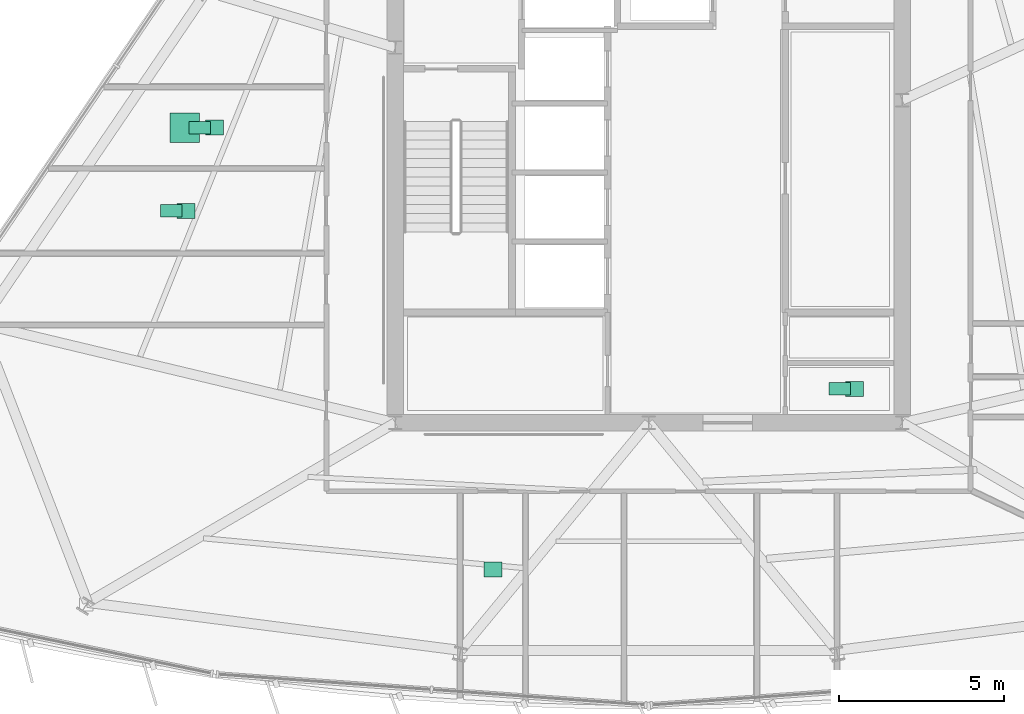
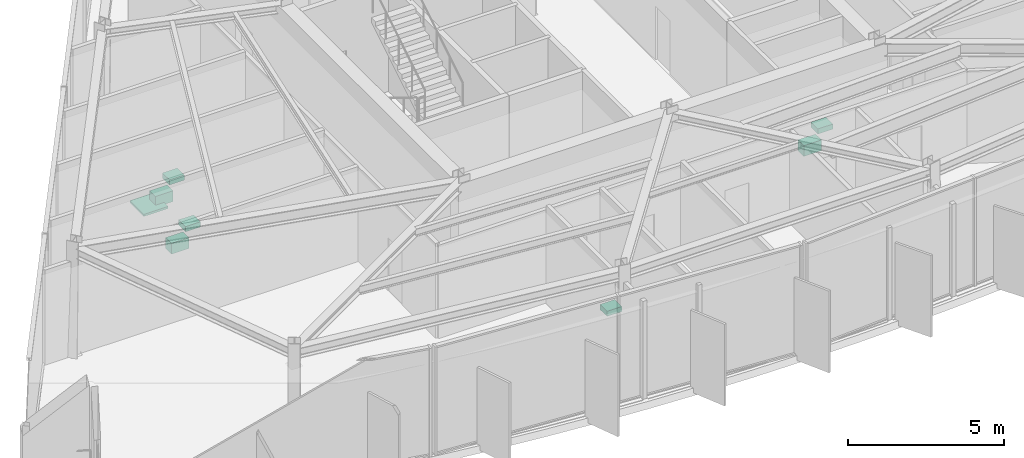
# One storey, part 13 of 13: 8 sanitary terminals.
"""IFC4 building model written with IfcOpenShell, lengths in metres."""

import ifcopenshell
import ifcopenshell.guid

model = None  # the IFC model being written
_history = None  # IfcOwnerHistory: only IFC2X3 demands one
_inside = {}  # id of a spatial element -> (the spatial element, [elements in it])
_under = {}  # id of a project, library or spatial element -> (it, [spatial elements below it])
_declared = {}  # id of a project -> (the project, [libraries it declares])
_typed = {}  # id of a type object -> (the type object, [elements of that type])
_made_of = {}  # id of a material, layer set ... -> (it, [elements and type objects made of it])


def new_model(schema):
    """Start an empty IFC model of exactly this schema.

    Asked for "IFC4X3", IfcOpenShell would pick the latest addendum, in which some entities
    have other attributes; the version numbers below select the first issue.
    IFC2X3 requires an IfcOwnerHistory on every rooted entity: one is made here for all.
    """
    global model, _history
    if schema == "IFC4X3":
        model = ifcopenshell.file(schema_version=(4, 3, 0, 0))
    else:
        model = ifcopenshell.file(schema=schema)
    _inside.clear()
    _under.clear()
    _declared.clear()
    _typed.clear()
    _made_of.clear()
    _history = None
    if model.schema == "IFC2X3":
        org = make("IfcOrganization", Name="unknown")
        user = make(
            "IfcPersonAndOrganization",
            ThePerson=make("IfcPerson", FamilyName="unknown"),
            TheOrganization=org,
        )
        app = make(
            "IfcApplication",
            ApplicationDeveloper=org,
            Version="unknown",
            ApplicationFullName="unknown",
            ApplicationIdentifier="unknown",
        )
        _history = make(
            "IfcOwnerHistory",
            OwningUser=user,
            OwningApplication=app,
            ChangeAction="ADDED",
            CreationDate=0,
        )
    return model


def make(cls, **values):
    """One entity of the class cls with the attributes given. An attribute that is None is left unset."""
    return model.create_entity(
        cls, **{name: value for name, value in values.items() if value is not None}
    )


def rooted(cls, **values):
    """An entity with a GlobalId (a new one), such as an element, a storey or a relation."""
    return make(cls, GlobalId=ifcopenshell.guid.new(), OwnerHistory=_history, **values)


def si_unit(unit_type, name, prefix=None):
    """IfcSIUnit, for example si_unit("LENGTHUNIT", "METRE", prefix="MILLI")."""
    return make("IfcSIUnit", UnitType=unit_type, Prefix=prefix, Name=name)


def assignment(units):
    """IfcUnitAssignment: the units of a project."""
    return None if units is None else make("IfcUnitAssignment", Units=units)


def point(xyz):
    """IfcCartesianPoint."""
    return None if xyz is None else make("IfcCartesianPoint", Coordinates=xyz)


def direction(xyz):
    """IfcDirection."""
    return None if xyz is None else make("IfcDirection", DirectionRatios=xyz)


def frame(location, z_axis=None, x_axis=None):
    """IfcAxis2Placement3D, a coordinate frame: its origin and axes. An axis left out is left unset."""
    return make(
        "IfcAxis2Placement3D",
        Location=point(location),
        Axis=direction(z_axis),
        RefDirection=direction(x_axis),
    )


def frame_2d(location, x_axis=None):
    """IfcAxis2Placement2D, a coordinate frame in the plane: its origin and x axis."""
    return make(
        "IfcAxis2Placement2D", Location=point(location), RefDirection=direction(x_axis)
    )


def origin():
    """The frame at (0, 0, 0) with its axes left unset."""
    return frame((0.0, 0.0, 0.0))


def origin_2d():
    """The frame at (0, 0) in the plane with its x axis left unset."""
    return frame_2d((0.0, 0.0))


def place(relative_to, where):
    """IfcLocalPlacement: puts the frame where relative to a parent placement (None: the world)."""
    return make(
        "IfcLocalPlacement", PlacementRelTo=relative_to, RelativePlacement=where
    )


def context(
    kind, dimensions, precision=None, world=None, true_north=None, identifier=None
):
    """IfcGeometricRepresentationContext, for example the 3D "Model" context."""
    return make(
        "IfcGeometricRepresentationContext",
        ContextIdentifier=identifier,
        ContextType=kind,
        CoordinateSpaceDimension=dimensions,
        Precision=precision,
        WorldCoordinateSystem=world,
        TrueNorth=true_north,
    )


def subcontext(parent, identifier, kind, view, scale=None):
    """IfcGeometricRepresentationSubContext, for example "Body" below "Model"."""
    return make(
        "IfcGeometricRepresentationSubContext",
        ContextIdentifier=identifier,
        ContextType=kind,
        ParentContext=parent,
        TargetScale=scale,
        TargetView=view,
    )


def project(units=None, contexts=None):
    """IfcProject with its units and contexts."""
    return rooted(
        "IfcProject",
        Name="project",
        RepresentationContexts=contexts,
        UnitsInContext=assignment(units),
    )


def spatial(cls, under=None, at=None, **own):
    """A site, building, storey or space (cls), placed at a placement, below another one or the project."""
    s = rooted(cls, ObjectPlacement=at, **own)
    if under is not None:
        _under.setdefault(under.id(), (under, []))[1].append(s)
    return s


def profile(cls, at=None, kind="AREA", **sizes):
    """A parametric profile (cls). Its sizes go by their IFC names, for example OverallWidth=200.0."""
    return make(cls, ProfileType=kind, Position=at, **sizes)


def rectangle(**sizes):
    """IfcRectangleProfileDef."""
    return profile("IfcRectangleProfileDef", **sizes)


def extrude(swept, where, along, depth):
    """IfcExtrudedAreaSolid: the profile swept, set in the frame where, extruded along a direction by depth."""
    return make(
        "IfcExtrudedAreaSolid",
        SweptArea=swept,
        Position=where,
        ExtrudedDirection=direction(along),
        Depth=depth,
    )


def shape(context_of_items, identifier, shape_type, items):
    """IfcShapeRepresentation: the items that make up one representation, for example the "Body"."""
    return make(
        "IfcShapeRepresentation",
        ContextOfItems=context_of_items,
        RepresentationIdentifier=identifier,
        RepresentationType=shape_type,
        Items=items,
    )


def material(Name=None, Category=None):
    """IfcMaterial."""
    return make("IfcMaterial", Name=Name, Category=Category)


def made_of(thing, what):
    """Note that an element or type object is made of a material, layer set ...; save() writes the relation."""
    if what is not None:
        _made_of.setdefault(what.id(), (what, []))[1].append(thing)
    return thing


def type_object(cls, material=None, **own):
    """A type object (cls), such as IfcWallType, which elements share."""
    return made_of(rooted(cls, **own), material)


def element(
    cls,
    number,
    at=None,
    inside=None,
    cuts=None,
    type_object=None,
    material=None,
    context=None,
    identifier="Body",
    shape_type=None,
    held_by="IfcProductDefinitionShape",
    body=None,
    shapes=None,
    **own,
):
    """One element of the class cls, such as IfcWall. Its Tag is "e" and its number.

    at: its placement. inside: the storey or other place that contains it. cuts: it is an
    opening in that element (IfcRelVoidsElement). A single representation is given by context,
    identifier, shape_type and body (its items); several are given by shapes. held_by: the class
    of the entity that holds the representations. save() writes the other relations.
    """
    e = rooted(cls, Tag="e%d" % number, ObjectPlacement=at, **own)
    if body is not None:
        shapes = [shape(context, identifier, shape_type, body)]
    if shapes is not None:
        e.Representation = make(held_by, Representations=shapes)
    if inside is not None:
        _inside.setdefault(inside.id(), (inside, []))[1].append(e)
    if cuts is not None:
        rooted(
            "IfcRelVoidsElement", RelatingBuildingElement=cuts, RelatedOpeningElement=e
        )
    if type_object is not None:
        _typed.setdefault(type_object.id(), (type_object, []))[1].append(e)
    return made_of(e, material)


def aggregate(whole, parts):
    """IfcRelAggregates: a whole, such as a stair, and the parts it consists of."""
    return rooted("IfcRelAggregates", RelatingObject=whole, RelatedObjects=parts)


def save(model, path):
    """Write the relations noted so far, then the file.

    IfcRelAggregates (storeys below a building ...), IfcRelContainedInSpatialStructure (elements
    in a storey), IfcRelDefinesByType, IfcRelAssociatesMaterial and IfcRelDeclares: one each for
    every whole, place, type object, material and project.
    """
    for whole, parts in _under.values():
        aggregate(whole, parts)
    for where, things in _inside.values():
        rooted(
            "IfcRelContainedInSpatialStructure",
            RelatedElements=things,
            RelatingStructure=where,
        )
    for kind, things in _typed.values():
        rooted("IfcRelDefinesByType", RelatedObjects=things, RelatingType=kind)
    for what, things in _made_of.values():
        rooted("IfcRelAssociatesMaterial", RelatedObjects=things, RelatingMaterial=what)
    for by, libraries in _declared.values():
        rooted("IfcRelDeclares", RelatingContext=by, RelatedDefinitions=libraries)
    model.write(path)


model = new_model("IFC4")

# Units and contexts
model_context = context("Model", 3, precision=1e-05, world=origin(), true_north=direction((0.0, 1.0)))
body_context = subcontext(model_context, "Body", "Model", "MODEL_VIEW")
ifc_project = project(units=[si_unit("LENGTHUNIT", "METRE"), si_unit("AREAUNIT", "SQUARE_METRE"), si_unit("VOLUMEUNIT", "CUBIC_METRE"), si_unit("PLANEANGLEUNIT", "RADIAN"), si_unit("MASSUNIT", "GRAM", prefix="KILO")], contexts=[model_context])

# Site, building, storey
site_placement = place(None, origin())
site = spatial("IfcSite", under=ifc_project, at=site_placement, CompositionType="ELEMENT")
building_placement = place(site_placement, origin())
building = spatial("IfcBuilding", under=site, at=building_placement, Name="Savorim Split Tower", CompositionType="ELEMENT")
storey_placement = place(building_placement, frame((0.0, 0.0, 190.199951171875)))
storey = spatial("IfcBuildingStorey", under=building, at=storey_placement, Name="L50", CompositionType="ELEMENT", Elevation=190.199951171875)

# Sanitary terminals
ifc_material = material(Name="Vitreous China Sanitaryware")
sanitary_terminal_type_1 = type_object("IfcSanitaryTerminalType", Name="SAN-SHW-900", PredefinedType="SHOWER", material=ifc_material)
sanitary_terminal_placement = place(storey_placement, frame((-14.09033203125, -0.434814453125, 0.0), z_axis=(0.0, 0.0, 1.0), x_axis=(1.0, 0.0, 0.0)))
element("IfcSanitaryTerminal", 1, at=sanitary_terminal_placement, inside=storey, type_object=sanitary_terminal_type_1, Name="L50 Shared Bathroom Shower", PredefinedType="SHOWER", context=body_context, shape_type="SweptSolid", body=[
    extrude(rectangle(XDim=0.89990234375, YDim=0.89990234375, at=origin_2d()), origin(), (0.0, 0.0, 1.0), 0.080078125),
])
sanitary_terminal_type_2 = type_object("IfcSanitaryTerminalType", Name="SAN-WC-PAN", PredefinedType="TOILETPAN", material=ifc_material)
for number, where, z_axis, x_axis, name in (
    (2, (5.800048828125, -8.3701171875, 0.0), (0.0, 0.0, 1.0), (1.0, 0.0, 0.0), "L50 Accessible WC WC Pan"),
    (3, (-13.640380859375, -0.434814453125, 0.0), (0.0, 0.0, 1.0), (1.0, 0.0, 0.0), "L50 Shared Bathroom WC Pan"),
    (4, (-14.500244140625, -2.962646484375, 0.0), (0.0, 0.0, 1.0), (1.0, 0.0, 0.0), "L50 Accessible WC WC Pan"),
):
    element("IfcSanitaryTerminal", number, at=place(storey_placement, frame(where, z_axis=z_axis, x_axis=x_axis)), inside=storey, type_object=sanitary_terminal_type_2, Name=name, PredefinedType="TOILETPAN", context=body_context, shape_type="SweptSolid", body=[
        extrude(rectangle(XDim=0.64990234375, YDim=0.3798828125, at=origin_2d()), origin(), (0.0, 0.0, 1.0), 0.419921875),
    ])
sanitary_terminal_type_3 = type_object("IfcSanitaryTerminalType", Name="SAN-WHB-550", PredefinedType="WASHHANDBASIN", material=ifc_material)
for number, where, z_axis, x_axis, name in (
    (5, (6.25, -8.3701171875, 0.72021484375), (0.0, 0.0, 1.0), (1.0, 0.0, 0.0), "L50 Accessible WC Washhand Basin"),
    (6, (-13.1904296875, -0.434814453125, 0.72021484375), (0.0, 0.0, 1.0), (1.0, 0.0, 0.0), "L50 Shared Bathroom Washhand Basin"),
    (7, (-14.05029296875, -2.962646484375, 0.72021484375), (0.0, 0.0, 1.0), (1.0, 0.0, 0.0), "L50 Accessible WC Washhand Basin"),
    (8, (-4.730712890625, -13.857421875, 0.75), (0.0, 0.0, 1.0), (1.0, 0.0, 0.0), "L50 Communal Kitchen Utility Sink"),
):
    element("IfcSanitaryTerminal", number, at=place(storey_placement, frame(where, z_axis=z_axis, x_axis=x_axis)), inside=storey, type_object=sanitary_terminal_type_3, Name=name, PredefinedType="WASHHANDBASIN", context=body_context, shape_type="SweptSolid", body=[
        extrude(rectangle(XDim=0.550048828125, YDim=0.449951171875, at=origin_2d()), origin(), (0.0, 0.0, 1.0), 0.199951171875),
    ])

save(model, "model.ifc")
